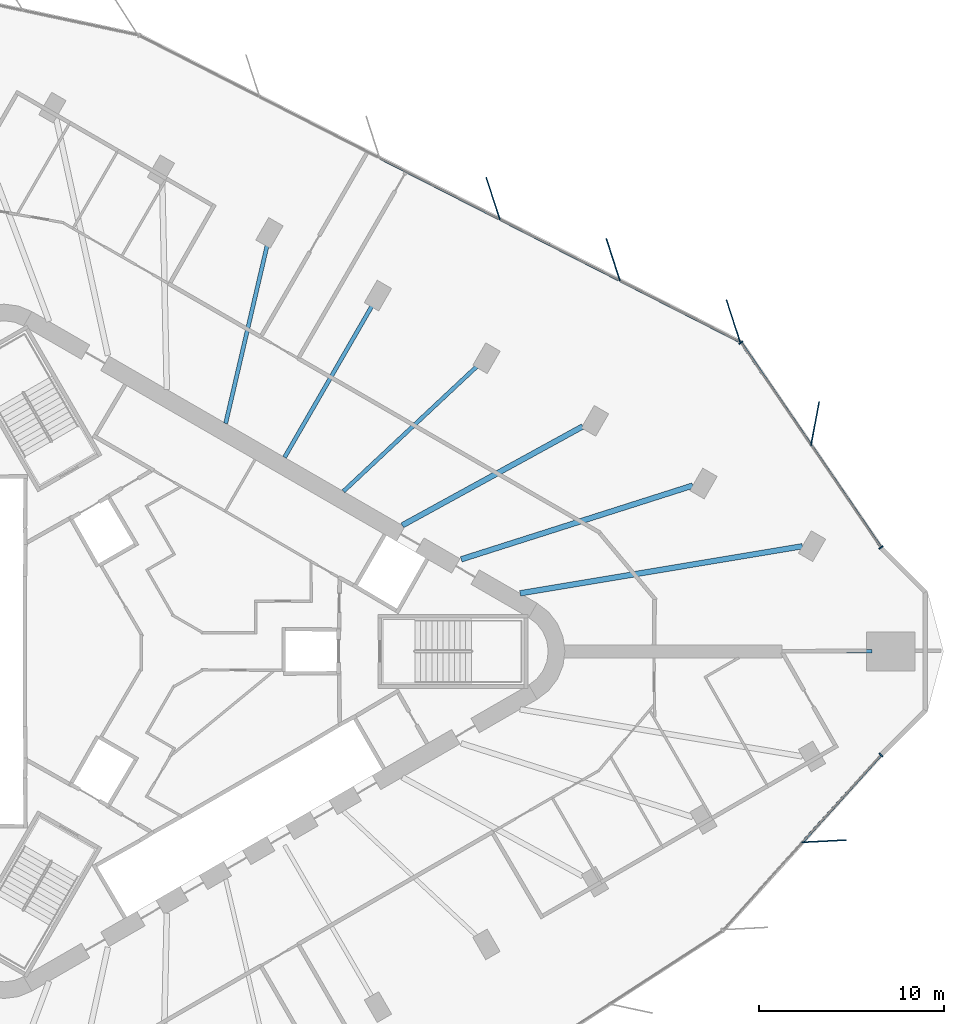
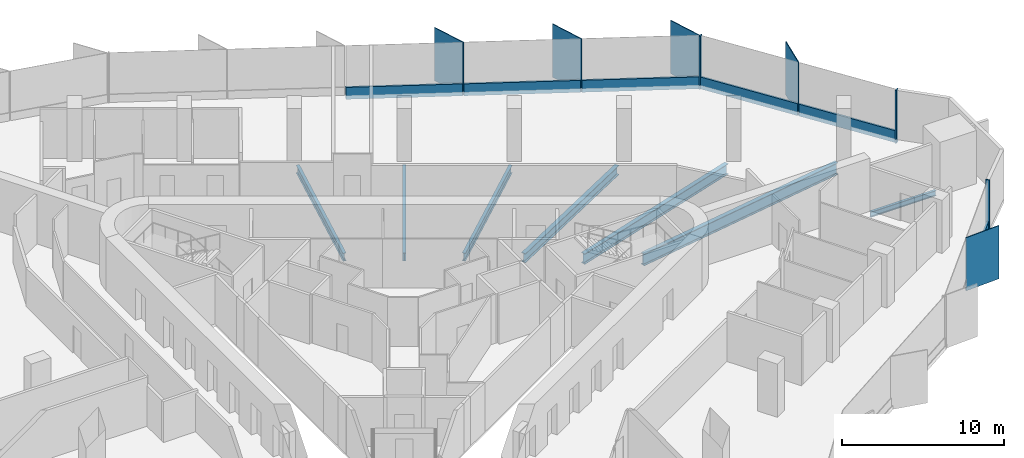
# One storey, part 5 of 14: 14 members, 7 beams, 3 elements without a shape of their own.
"""IFC4 building model written with IfcOpenShell, lengths in metres."""

from ifc_helpers import new_model, si_unit, direction, frame, origin, origin_2d, place, context, subcontext, project, spatial, rectangle, i_section, extrude, material, material_profile, profile_set, type_object, element, aggregate, save


model = new_model("IFC4")

# Units and contexts
model_context = context("Model", 3, precision=1e-05, world=origin(), true_north=direction((0.0, 1.0)))
body_context = subcontext(model_context, "Body", "Model", "MODEL_VIEW")
ifc_project = project(units=[si_unit("LENGTHUNIT", "METRE"), si_unit("AREAUNIT", "SQUARE_METRE"), si_unit("VOLUMEUNIT", "CUBIC_METRE"), si_unit("PLANEANGLEUNIT", "RADIAN"), si_unit("MASSUNIT", "GRAM", prefix="KILO")], contexts=[model_context])

# Site, building, storey
site_placement = place(None, origin())
site = spatial("IfcSite", under=ifc_project, at=site_placement, CompositionType="ELEMENT")
building_placement = place(site_placement, origin())
building = spatial("IfcBuilding", under=site, at=building_placement, Name="Tanit Gate Tower", CompositionType="ELEMENT")
storey_placement = place(building_placement, frame((0.0, 0.0, 205.199951171875)))
storey = spatial("IfcBuildingStorey", under=building, at=storey_placement, Name="L45", CompositionType="ELEMENT", Elevation=205.199951171875)

# Curtain wall, member
ifc_material_1 = material(Name="Aluminium bronze anodised and glass", Category="aluminium")
curtain_wall_type = type_object("IfcCurtainWallType", Name="Curtain wall typical mid", PredefinedType="NOTDEFINED", material=ifc_material_1)
curtain_wall_1_placement = place(storey_placement, origin())
curtain_wall_1 = element("IfcCurtainWall", 1, at=curtain_wall_1_placement, inside=storey, type_object=curtain_wall_type, Name="Curtain wall L45 NE1", PredefinedType="NOTDEFINED")
ifc_material_2 = material(Name="Aluminium bronze anodised", Category="aluminium")
ifc_material_profile_1 = material_profile(ifc_material_2, rectangle(XDim=2.39990234375, YDim=0.055908203125, at=origin_2d()), Name="56x2400 bronze fin mullion")
ifc_profile_set_1 = profile_set([ifc_material_profile_1], Name="Aluminium bronze anodised")
member_type_1 = type_object("IfcMemberType", Name="FIN MULLION 56x2400 bronze", PredefinedType="MULLION", material=ifc_profile_set_1)
member_1_placement = place(storey_placement, frame((34.7177734375, 12.304931640625, -0.300048828125), z_axis=(0.0, 0.0, 1.0), x_axis=(-0.185010170887, -0.982736605947, 0.0)))
member_1 = element("IfcMember", 2, at=member_1_placement, type_object=member_type_1, Name="Fin mullion L45 NE1.2", PredefinedType="MULLION", context=body_context, shape_type="SweptSolid", body=[
    extrude(rectangle(XDim=2.39990234375, YDim=0.055908203125, at=origin_2d()), origin(), (0.0, 0.0, 1.0), 4.0),
])

# Curtain wall, members
curtain_wall_2_placement = place(storey_placement, origin())
curtain_wall_2 = element("IfcCurtainWall", 3, at=curtain_wall_2_placement, inside=storey, type_object=curtain_wall_type, Name="Curtain wall L45 NE2", PredefinedType="NOTDEFINED")
member_2_placement = place(storey_placement, frame((30.298095703125, 17.8515625, -0.300048828125), z_axis=(0.0, 0.0, 1.0), x_axis=(0.308699841109, -0.95115950718, 0.0)))
member_2 = element("IfcMember", 4, at=member_2_placement, type_object=member_type_1, Name="Fin mullion L45 NE2.1", PredefinedType="MULLION", context=body_context, shape_type="SweptSolid", body=[
    extrude(rectangle(XDim=2.39990234375, YDim=0.055908203125, at=origin_2d()), origin(), (0.0, 0.0, 1.0), 4.0),
])
member_3_placement = place(storey_placement, frame((23.807373046875, 21.161376953125, -0.300048828125), z_axis=(0.0, 0.0, 1.0), x_axis=(0.308699841109, -0.95115950718, 0.0)))
member_3 = element("IfcMember", 5, at=member_3_placement, type_object=member_type_1, Name="Fin mullion L45 NE2.2", PredefinedType="MULLION", context=body_context, shape_type="SweptSolid", body=[
    extrude(rectangle(XDim=2.39990234375, YDim=0.055908203125, at=origin_2d()), origin(), (0.0, 0.0, 1.0), 4.0),
])
member_4_placement = place(storey_placement, frame((17.316650390625, 24.47119140625, -0.300048828125), z_axis=(0.0, 0.0, 1.0), x_axis=(0.308699841109, -0.95115950718, 0.0)))
member_4 = element("IfcMember", 6, at=member_4_placement, type_object=member_type_1, Name="Fin mullion L45 NE2.3", PredefinedType="MULLION", context=body_context, shape_type="SweptSolid", body=[
    extrude(rectangle(XDim=2.39990234375, YDim=0.055908203125, at=origin_2d()), origin(), (0.0, 0.0, 1.0), 4.0),
])

# Curtain wall, member
curtain_wall_3_placement = place(storey_placement, origin())
curtain_wall_3 = element("IfcCurtainWall", 7, at=curtain_wall_3_placement, inside=storey, type_object=curtain_wall_type, Name="Curtain wall L45 SE3", PredefinedType="NOTDEFINED")
member_5_placement = place(storey_placement, frame((35.2060546875, -10.260009765625, -0.300048828125), z_axis=(0.0, 0.0, 1.0), x_axis=(-0.998662240178, -0.051708123563, 0.0)))
member_5 = element("IfcMember", 8, at=member_5_placement, type_object=member_type_1, Name="Fin mullion L45 SE3.2", PredefinedType="MULLION", context=body_context, shape_type="SweptSolid", body=[
    extrude(rectangle(XDim=2.39990234375, YDim=0.055908203125, at=origin_2d()), origin(), (0.0, 0.0, 1.0), 4.0),
])

# Member
ifc_material_3 = material(Name="Aluminium bronze anodised", Category="aluminium")
ifc_material_profile_2 = material_profile(ifc_material_3, rectangle(XDim=0.260009765625, YDim=0.080078125, at=origin_2d()), Name="80x260 bronze mullion")
ifc_profile_set_2 = profile_set([ifc_material_profile_2], Name="Aluminium bronze anodised")
member_type_2 = type_object("IfcMemberType", Name="Mullion 80x260 typical mid", PredefinedType="MULLION", material=ifc_profile_set_2)
member_6_placement = place(storey_placement, frame((38.279296875, 5.61376953125, -0.300048828125), z_axis=(0.0, 0.0, 1.0), x_axis=(-0.825721664608, -0.564077771762, 0.0)))
member_6 = element("IfcMember", 9, at=member_6_placement, type_object=member_type_2, Name="Mullion L45 NE1.1", PredefinedType="MULLION", context=body_context, shape_type="SweptSolid", body=[
    extrude(rectangle(XDim=0.260009765625, YDim=0.080078125, at=origin_2d()), origin(), (0.0, 0.0, 1.0), 4.0),
])

member_7_placement = place(storey_placement, frame((30.719970703125, 16.67919921875, -0.300048828125), z_axis=(0.0, 0.0, 1.0), x_axis=(-0.825721664608, -0.564077771762, 0.0)))
member_7 = element("IfcMember", 10, at=member_7_placement, type_object=member_type_2, Name="Mullion L45 NE1.3", PredefinedType="MULLION", context=body_context, shape_type="SweptSolid", body=[
    extrude(rectangle(XDim=0.260009765625, YDim=0.080078125, at=origin_2d()), origin(), (0.0, 0.0, 1.0), 4.0),
])

member_8_placement = place(storey_placement, frame((38.28076171875, -5.604736328125, -0.300048828125), z_axis=(0.0, 0.0, 1.0), x_axis=(-0.742724006959, 0.669597677331, 0.0)))
member_8 = element("IfcMember", 11, at=member_8_placement, type_object=member_type_2, Name="Mullion L45 SE3.3", PredefinedType="MULLION", context=body_context, shape_type="SweptSolid", body=[
    extrude(rectangle(XDim=0.260009765625, YDim=0.080078125, at=origin_2d()), origin(), (0.0, 0.0, 1.0), 4.0),
])

# Beams
ifc_material_4 = material(Name="Steel S355", Category="steel")
ifc_material_profile_3 = material_profile(ifc_material_4, i_section(OverallWidth=0.300048828125, OverallDepth=0.68994140625, WebThickness=0.014404296875, FlangeThickness=0.027099609375, FilletRadius=0.027099609375, at=origin_2d()), Name="HEA 700")
ifc_profile_set_3 = profile_set([ifc_material_profile_3], Name="Steel S355")
beam_type_1 = type_object("IfcBeamType", Name="RADIAL GIRDER HEA 700 S355", PredefinedType="BEAM", material=ifc_profile_set_3)
beam_1_placement = place(storey_placement, frame((22.16259765625, 12.152587890625, -0.64501953125), z_axis=(-0.876836895989, -0.480787955165, 0.0), x_axis=(0.480787955165, -0.876836895989, 0.0)))
element("IfcBeam", 12, at=beam_1_placement, inside=storey, type_object=beam_type_1, Name="RADIAL GIRDER", PredefinedType="BEAM", context=body_context, shape_type="SweptSolid", body=[
    extrude(i_section(OverallWidth=0.300048828125, OverallDepth=0.68994140625, WebThickness=0.014404296875, FlangeThickness=0.027099609375, FilletRadius=0.027099609375, at=origin_2d()), origin(), (0.0, 0.0, 1.0), 11.1181640625),
])
ifc_material_5 = material(Name="Steel S355", Category="steel")
ifc_material_profile_4 = material_profile(ifc_material_5, i_section(OverallWidth=0.300048828125, OverallDepth=0.7900390625, WebThickness=0.014892578125, FlangeThickness=0.028076171875, FilletRadius=0.030029296875, at=origin_2d()), Name="HEA 800")
ifc_profile_set_4 = profile_set([ifc_material_profile_4], Name="Steel S355")
beam_type_2 = type_object("IfcBeamType", Name="RADIAL GIRDER HEA 800 S355", PredefinedType="BEAM", material=ifc_profile_set_4)
beam_2_placement = place(storey_placement, frame((28.107666015625, 8.9580078125, -0.695068359375), z_axis=(-0.952781377786, -0.303657119369, 0.0), x_axis=(0.303657119369, -0.952781377786, 0.0)))
element("IfcBeam", 13, at=beam_2_placement, inside=storey, type_object=beam_type_2, Name="RADIAL GIRDER", PredefinedType="BEAM", context=body_context, shape_type="SweptSolid", body=[
    extrude(i_section(OverallWidth=0.300048828125, OverallDepth=0.7900390625, WebThickness=0.014892578125, FlangeThickness=0.028076171875, FilletRadius=0.030029296875, at=origin_2d()), origin(), (0.0, 0.0, 1.0), 13.132568359375),
])
ifc_material_6 = material(Name="Steel S355", Category="steel")
ifc_material_profile_5 = material_profile(ifc_material_6, i_section(OverallWidth=0.300048828125, OverallDepth=0.889892578125, WebThickness=0.01611328125, FlangeThickness=0.030029296875, FilletRadius=0.030029296875, at=origin_2d()), Name="HEA 900")
ifc_profile_set_5 = profile_set([ifc_material_profile_5], Name="Steel S355")
beam_type_3 = type_object("IfcBeamType", Name="RADIAL GIRDER HEA 900 S355", PredefinedType="BEAM", material=ifc_profile_set_5)
beam_3_placement = place(storey_placement, frame((34.033203125, 5.679443359375, -0.744873046875), z_axis=(-0.986358065875, -0.164613990543, 0.0), x_axis=(0.164613990543, -0.986358065875, 0.0)))
element("IfcBeam", 14, at=beam_3_placement, inside=storey, type_object=beam_type_3, Name="RADIAL GIRDER", PredefinedType="BEAM", context=body_context, shape_type="SweptSolid", body=[
    extrude(i_section(OverallWidth=0.300048828125, OverallDepth=0.889892578125, WebThickness=0.01611328125, FlangeThickness=0.030029296875, FilletRadius=0.030029296875, at=origin_2d()), origin(), (0.0, 0.0, 1.0), 15.46728515625),
])
ifc_material_7 = material(Name="Steel S355", Category="steel")
ifc_material_profile_6 = material_profile(ifc_material_7, i_section(OverallWidth=0.179931640625, OverallDepth=0.39990234375, WebThickness=0.008544921875, FlangeThickness=0.013427734375, FilletRadius=0.02099609375, at=origin_2d()), Name="IPE 400")
ifc_profile_set_6 = profile_set([ifc_material_profile_6], Name="Steel S355")
beam_type_4 = type_object("IfcBeamType", Name="RADIAL GIRDER IPE 400 S355", PredefinedType="BEAM", material=ifc_profile_set_6)
beam_4_placement = place(storey_placement, frame((37.806640625, 0.0, -0.5), z_axis=(-1.0, 0.0, 0.0), x_axis=(0.0, -1.0, 0.0)))
element("IfcBeam", 15, at=beam_4_placement, inside=storey, type_object=beam_type_4, Name="RADIAL GIRDER", PredefinedType="BEAM", context=body_context, shape_type="SweptSolid", body=[
    extrude(i_section(OverallWidth=0.179931640625, OverallDepth=0.39990234375, WebThickness=0.008544921875, FlangeThickness=0.013427734375, FilletRadius=0.02099609375, at=origin_2d()), origin(), (0.0, 0.0, 1.0), 4.64990234375),
])
ifc_material_8 = material(Name="Steel S355", Category="steel")
ifc_material_profile_7 = material_profile(ifc_material_8, i_section(OverallWidth=0.219970703125, OverallDepth=0.60009765625, WebThickness=0.011962890625, FlangeThickness=0.01904296875, FilletRadius=0.02392578125, at=origin_2d()), Name="IPE 600")
ifc_profile_set_7 = profile_set([ifc_material_profile_7], Name="Steel S355")
beam_type_5 = type_object("IfcBeamType", Name="RADIAL GIRDER IPE 600 S355", PredefinedType="BEAM", material=ifc_profile_set_7)
beam_5_placement = place(storey_placement, frame((16.48291015625, 15.431884765625, -0.599853515625), z_axis=(-0.730001567612, -0.6834454706, 0.0), x_axis=(0.6834454706, -0.730001567612, 0.0)))
element("IfcBeam", 16, at=beam_5_placement, inside=storey, type_object=beam_type_5, Name="RADIAL GIRDER", PredefinedType="BEAM", context=body_context, shape_type="SweptSolid", body=[
    extrude(i_section(OverallWidth=0.219970703125, OverallDepth=0.60009765625, WebThickness=0.011962890625, FlangeThickness=0.01904296875, FilletRadius=0.02392578125, at=origin_2d()), origin(), (0.0, 0.0, 1.0), 9.93212890625),
])
beam_6_placement = place(storey_placement, frame((10.802978515625, 18.711181640625, -0.599853515625), z_axis=(-0.500007084799, -0.866021313335, 0.0), x_axis=(0.866021313335, -0.500007084799, 0.0)))
element("IfcBeam", 17, at=beam_6_placement, inside=storey, type_object=beam_type_5, Name="RADIAL GIRDER", PredefinedType="BEAM", context=body_context, shape_type="SweptSolid", body=[
    extrude(i_section(OverallWidth=0.219970703125, OverallDepth=0.60009765625, WebThickness=0.011962890625, FlangeThickness=0.01904296875, FilletRadius=0.02392578125, at=origin_2d()), origin(), (0.0, 0.0, 1.0), 9.503662109375),
])
beam_7_placement = place(storey_placement, frame((5.123046875, 21.990478515625, -0.599853515625), z_axis=(-0.226882255877, -0.973922195028, 0.0), x_axis=(0.973922195028, -0.226882255877, 0.0)))
element("IfcBeam", 18, at=beam_7_placement, inside=storey, type_object=beam_type_5, Name="RADIAL GIRDER", PredefinedType="BEAM", context=body_context, shape_type="SweptSolid", body=[
    extrude(i_section(OverallWidth=0.219970703125, OverallDepth=0.60009765625, WebThickness=0.011962890625, FlangeThickness=0.01904296875, FilletRadius=0.02392578125, at=origin_2d()), origin(), (0.0, 0.0, 1.0), 9.93212890625),
])

# Member
ifc_material_9 = material(Name="Aluminium bronze anodised", Category="aluminium")
ifc_material_profile_8 = material_profile(ifc_material_9, rectangle(XDim=0.139892578125, YDim=0.89990234375, at=origin_2d()), Name="140x900 bronze transom")
ifc_profile_set_8 = profile_set([ifc_material_profile_8], Name="Aluminium bronze anodised")
member_type_3 = type_object("IfcMemberType", Name="Transom 140x900 typical mid", PredefinedType="USERDEFINED", material=ifc_profile_set_8)
member_9_placement = place(storey_placement, frame((38.256591796875, 5.646728515625, 0.150146484375), z_axis=(-0.564076955516, 0.825722222213, 0.0), x_axis=(-0.825722222213, -0.564076955516, 0.0)))
member_9 = element("IfcMember", 19, at=member_9_placement, type_object=member_type_3, Name="Transom L45 NE1.1", ObjectType="TRANSOM", PredefinedType="USERDEFINED", context=body_context, shape_type="SweptSolid", body=[
    extrude(rectangle(XDim=0.139892578125, YDim=0.89990234375, at=origin_2d()), origin(), (0.0, 0.0, 1.0), 6.620361328125),
])

member_10_placement = place(storey_placement, frame((34.47705078125, 11.179443359375, 0.150146484375), z_axis=(-0.564059779491, 0.825733955437, 0.0), x_axis=(-0.825733955437, -0.564059779491, 0.0)))
member_10 = element("IfcMember", 20, at=member_10_placement, type_object=member_type_3, Name="Transom L45 NE1.2", ObjectType="TRANSOM", PredefinedType="USERDEFINED", context=body_context, shape_type="SweptSolid", body=[
    extrude(rectangle(XDim=0.139892578125, YDim=0.89990234375, at=origin_2d()), origin(), (0.0, 0.0, 1.0), 6.62060546875),
])

aggregate(curtain_wall_1, [member_6, member_1, member_7, member_9, member_10])

member_11_placement = place(storey_placement, frame((30.626220703125, 16.74853515625, 0.150146484375), z_axis=(-0.890862057328, 0.454273920463, 0.0), x_axis=(-0.454273920463, -0.890862057328, 0.0)))
member_11 = element("IfcMember", 21, at=member_11_placement, type_object=member_type_3, Name="Transom L45 NE2.1", ObjectType="TRANSOM", PredefinedType="USERDEFINED", context=body_context, shape_type="SweptSolid", body=[
    extrude(rectangle(XDim=0.139892578125, YDim=0.89990234375, at=origin_2d()), origin(), (0.0, 0.0, 1.0), 7.205810546875),
])

member_12_placement = place(storey_placement, frame((24.135498046875, 20.058349609375, 0.150146484375), z_axis=(-0.890841352882, 0.454314521005, 0.0), x_axis=(-0.454314521005, -0.890841352882, 0.0)))
member_12 = element("IfcMember", 22, at=member_12_placement, type_object=member_type_3, Name="Transom L45 NE2.2", ObjectType="TRANSOM", PredefinedType="USERDEFINED", context=body_context, shape_type="SweptSolid", body=[
    extrude(rectangle(XDim=0.139892578125, YDim=0.89990234375, at=origin_2d()), origin(), (0.0, 0.0, 1.0), 7.205810546875),
])

member_13_placement = place(storey_placement, frame((17.64501953125, 23.3681640625, 0.150146484375), z_axis=(-0.890848345725, 0.454300808847, 0.0), x_axis=(-0.454300808847, -0.890848345725, 0.0)))
member_13 = element("IfcMember", 23, at=member_13_placement, type_object=member_type_3, Name="Transom L45 NE2.3", ObjectType="TRANSOM", PredefinedType="USERDEFINED", context=body_context, shape_type="SweptSolid", body=[
    extrude(rectangle(XDim=0.139892578125, YDim=0.89990234375, at=origin_2d()), origin(), (0.0, 0.0, 1.0), 7.2060546875),
])

aggregate(curtain_wall_2, [member_2, member_3, member_4, member_11, member_12, member_13])

member_14_placement = place(storey_placement, frame((34.0556640625, -10.291259765625, 0.150146484375), z_axis=(0.669577615986, 0.742742092634, 0.0), x_axis=(-0.742742092634, 0.669577615986, 0.0)))
member_14 = element("IfcMember", 24, at=member_14_placement, type_object=member_type_3, Name="Transom L45 SE3.2", ObjectType="TRANSOM", PredefinedType="USERDEFINED", context=body_context, shape_type="SweptSolid", body=[
    extrude(rectangle(XDim=0.139892578125, YDim=0.89990234375, at=origin_2d()), origin(), (0.0, 0.0, 1.0), 6.27001953125),
])

aggregate(curtain_wall_3, [member_5, member_8, member_14])

save(model, "model.ifc")
